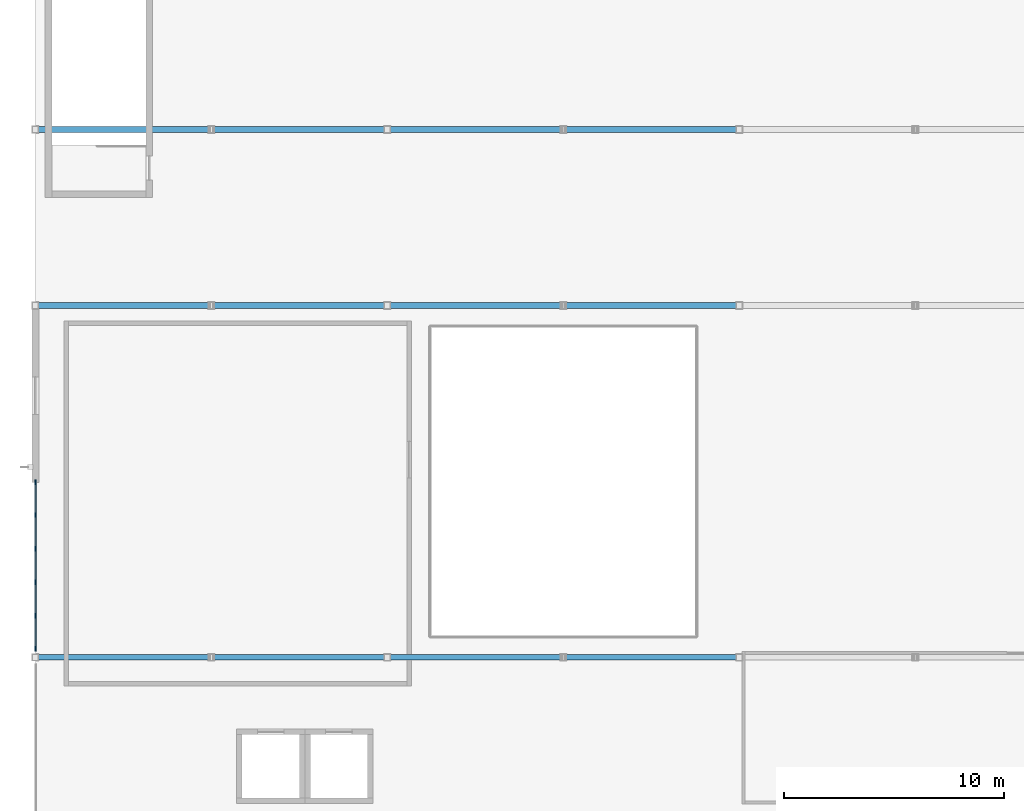
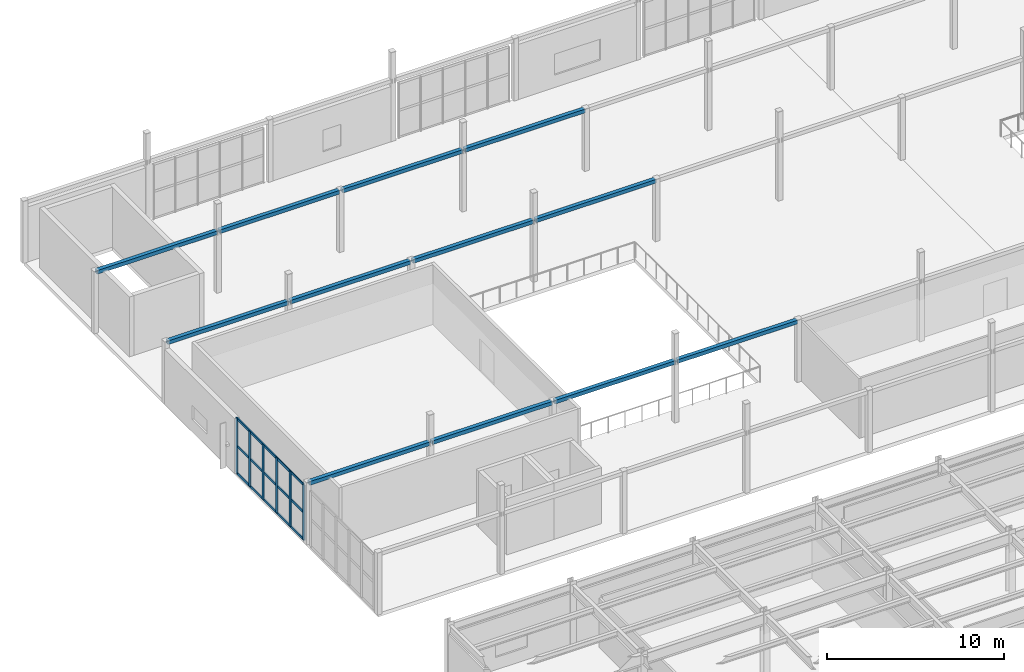
# One storey, part 25 of 83: 21 members, 1 element without a shape of its own.
"""IFC4 building model written with IfcOpenShell, lengths in metres."""

import ifcopenshell
import ifcopenshell.guid

model = None  # the IFC model being written
_history = None  # IfcOwnerHistory: only IFC2X3 demands one
_inside = {}  # id of a spatial element -> (the spatial element, [elements in it])
_under = {}  # id of a project, library or spatial element -> (it, [spatial elements below it])
_declared = {}  # id of a project -> (the project, [libraries it declares])
_typed = {}  # id of a type object -> (the type object, [elements of that type])
_made_of = {}  # id of a material, layer set ... -> (it, [elements and type objects made of it])


def new_model(schema):
    """Start an empty IFC model of exactly this schema.

    Asked for "IFC4X3", IfcOpenShell would pick the latest addendum, in which some entities
    have other attributes; the version numbers below select the first issue.
    IFC2X3 requires an IfcOwnerHistory on every rooted entity: one is made here for all.
    """
    global model, _history
    if schema == "IFC4X3":
        model = ifcopenshell.file(schema_version=(4, 3, 0, 0))
    else:
        model = ifcopenshell.file(schema=schema)
    _inside.clear()
    _under.clear()
    _declared.clear()
    _typed.clear()
    _made_of.clear()
    _history = None
    if model.schema == "IFC2X3":
        org = make("IfcOrganization", Name="unknown")
        user = make(
            "IfcPersonAndOrganization",
            ThePerson=make("IfcPerson", FamilyName="unknown"),
            TheOrganization=org,
        )
        app = make(
            "IfcApplication",
            ApplicationDeveloper=org,
            Version="unknown",
            ApplicationFullName="unknown",
            ApplicationIdentifier="unknown",
        )
        _history = make(
            "IfcOwnerHistory",
            OwningUser=user,
            OwningApplication=app,
            ChangeAction="ADDED",
            CreationDate=0,
        )
    return model


def make(cls, **values):
    """One entity of the class cls with the attributes given. An attribute that is None is left unset."""
    return model.create_entity(
        cls, **{name: value for name, value in values.items() if value is not None}
    )


def rooted(cls, **values):
    """An entity with a GlobalId (a new one), such as an element, a storey or a relation."""
    return make(cls, GlobalId=ifcopenshell.guid.new(), OwnerHistory=_history, **values)


def si_unit(unit_type, name, prefix=None):
    """IfcSIUnit, for example si_unit("LENGTHUNIT", "METRE", prefix="MILLI")."""
    return make("IfcSIUnit", UnitType=unit_type, Prefix=prefix, Name=name)


def assignment(units):
    """IfcUnitAssignment: the units of a project."""
    return None if units is None else make("IfcUnitAssignment", Units=units)


def point(xyz):
    """IfcCartesianPoint."""
    return None if xyz is None else make("IfcCartesianPoint", Coordinates=xyz)


def direction(xyz):
    """IfcDirection."""
    return None if xyz is None else make("IfcDirection", DirectionRatios=xyz)


def frame(location, z_axis=None, x_axis=None):
    """IfcAxis2Placement3D, a coordinate frame: its origin and axes. An axis left out is left unset."""
    return make(
        "IfcAxis2Placement3D",
        Location=point(location),
        Axis=direction(z_axis),
        RefDirection=direction(x_axis),
    )


def frame_2d(location, x_axis=None):
    """IfcAxis2Placement2D, a coordinate frame in the plane: its origin and x axis."""
    return make(
        "IfcAxis2Placement2D", Location=point(location), RefDirection=direction(x_axis)
    )


def origin():
    """The frame at (0, 0, 0) with its axes left unset."""
    return frame((0.0, 0.0, 0.0))


def origin_2d():
    """The frame at (0, 0) in the plane with its x axis left unset."""
    return frame_2d((0.0, 0.0))


def place(relative_to, where):
    """IfcLocalPlacement: puts the frame where relative to a parent placement (None: the world)."""
    return make(
        "IfcLocalPlacement", PlacementRelTo=relative_to, RelativePlacement=where
    )


def context(
    kind, dimensions, precision=None, world=None, true_north=None, identifier=None
):
    """IfcGeometricRepresentationContext, for example the 3D "Model" context."""
    return make(
        "IfcGeometricRepresentationContext",
        ContextIdentifier=identifier,
        ContextType=kind,
        CoordinateSpaceDimension=dimensions,
        Precision=precision,
        WorldCoordinateSystem=world,
        TrueNorth=true_north,
    )


def subcontext(parent, identifier, kind, view, scale=None):
    """IfcGeometricRepresentationSubContext, for example "Body" below "Model"."""
    return make(
        "IfcGeometricRepresentationSubContext",
        ContextIdentifier=identifier,
        ContextType=kind,
        ParentContext=parent,
        TargetScale=scale,
        TargetView=view,
    )


def project(units=None, contexts=None):
    """IfcProject with its units and contexts."""
    return rooted(
        "IfcProject",
        Name="project",
        RepresentationContexts=contexts,
        UnitsInContext=assignment(units),
    )


def spatial(cls, under=None, at=None, **own):
    """A site, building, storey or space (cls), placed at a placement, below another one or the project."""
    s = rooted(cls, ObjectPlacement=at, **own)
    if under is not None:
        _under.setdefault(under.id(), (under, []))[1].append(s)
    return s


def profile(cls, at=None, kind="AREA", **sizes):
    """A parametric profile (cls). Its sizes go by their IFC names, for example OverallWidth=200.0."""
    return make(cls, ProfileType=kind, Position=at, **sizes)


def rectangle(**sizes):
    """IfcRectangleProfileDef."""
    return profile("IfcRectangleProfileDef", **sizes)


def hollow_rectangle(**sizes):
    """IfcRectangleHollowProfileDef."""
    return profile("IfcRectangleHollowProfileDef", **sizes)


def extrude(swept, where, along, depth):
    """IfcExtrudedAreaSolid: the profile swept, set in the frame where, extruded along a direction by depth."""
    return make(
        "IfcExtrudedAreaSolid",
        SweptArea=swept,
        Position=where,
        ExtrudedDirection=direction(along),
        Depth=depth,
    )


def shape(context_of_items, identifier, shape_type, items):
    """IfcShapeRepresentation: the items that make up one representation, for example the "Body"."""
    return make(
        "IfcShapeRepresentation",
        ContextOfItems=context_of_items,
        RepresentationIdentifier=identifier,
        RepresentationType=shape_type,
        Items=items,
    )


def material(Name=None, Category=None):
    """IfcMaterial."""
    return make("IfcMaterial", Name=Name, Category=Category)


def material_profile(
    of_material, cross_section, Name=None, Category=None, Priority=None
):
    """IfcMaterialProfile: a cross section and its material."""
    return make(
        "IfcMaterialProfile",
        Name=Name,
        Material=of_material,
        Profile=cross_section,
        Priority=Priority,
        Category=Category,
    )


def profile_set(profiles, Name=None, composite=None):
    """IfcMaterialProfileSet."""
    return make(
        "IfcMaterialProfileSet",
        Name=Name,
        MaterialProfiles=profiles,
        CompositeProfile=composite,
    )


def made_of(thing, what):
    """Note that an element or type object is made of a material, layer set ...; save() writes the relation."""
    if what is not None:
        _made_of.setdefault(what.id(), (what, []))[1].append(thing)
    return thing


def type_object(cls, material=None, **own):
    """A type object (cls), such as IfcWallType, which elements share."""
    return made_of(rooted(cls, **own), material)


def element(
    cls,
    number,
    at=None,
    inside=None,
    cuts=None,
    type_object=None,
    material=None,
    context=None,
    identifier="Body",
    shape_type=None,
    held_by="IfcProductDefinitionShape",
    body=None,
    shapes=None,
    **own,
):
    """One element of the class cls, such as IfcWall. Its Tag is "e" and its number.

    at: its placement. inside: the storey or other place that contains it. cuts: it is an
    opening in that element (IfcRelVoidsElement). A single representation is given by context,
    identifier, shape_type and body (its items); several are given by shapes. held_by: the class
    of the entity that holds the representations. save() writes the other relations.
    """
    e = rooted(cls, Tag="e%d" % number, ObjectPlacement=at, **own)
    if body is not None:
        shapes = [shape(context, identifier, shape_type, body)]
    if shapes is not None:
        e.Representation = make(held_by, Representations=shapes)
    if inside is not None:
        _inside.setdefault(inside.id(), (inside, []))[1].append(e)
    if cuts is not None:
        rooted(
            "IfcRelVoidsElement", RelatingBuildingElement=cuts, RelatedOpeningElement=e
        )
    if type_object is not None:
        _typed.setdefault(type_object.id(), (type_object, []))[1].append(e)
    return made_of(e, material)


def aggregate(whole, parts):
    """IfcRelAggregates: a whole, such as a stair, and the parts it consists of."""
    return rooted("IfcRelAggregates", RelatingObject=whole, RelatedObjects=parts)


def save(model, path):
    """Write the relations noted so far, then the file.

    IfcRelAggregates (storeys below a building ...), IfcRelContainedInSpatialStructure (elements
    in a storey), IfcRelDefinesByType, IfcRelAssociatesMaterial and IfcRelDeclares: one each for
    every whole, place, type object, material and project.
    """
    for whole, parts in _under.values():
        aggregate(whole, parts)
    for where, things in _inside.values():
        rooted(
            "IfcRelContainedInSpatialStructure",
            RelatedElements=things,
            RelatingStructure=where,
        )
    for kind, things in _typed.values():
        rooted("IfcRelDefinesByType", RelatedObjects=things, RelatingType=kind)
    for what, things in _made_of.values():
        rooted("IfcRelAssociatesMaterial", RelatedObjects=things, RelatingMaterial=what)
    for by, libraries in _declared.values():
        rooted("IfcRelDeclares", RelatingContext=by, RelatedDefinitions=libraries)
    model.write(path)


model = new_model("IFC4")

# Units and contexts
model_context = context("Model", 3, precision=1e-05, world=origin(), true_north=direction((0.0, 1.0)))
body_context = subcontext(model_context, "Body", "Model", "MODEL_VIEW")
ifc_project = project(units=[si_unit("LENGTHUNIT", "METRE"), si_unit("AREAUNIT", "SQUARE_METRE"), si_unit("VOLUMEUNIT", "CUBIC_METRE"), si_unit("PLANEANGLEUNIT", "RADIAN"), si_unit("MASSUNIT", "GRAM", prefix="KILO")], contexts=[model_context])

# Site, building, storey
site_placement = place(None, origin())
site = spatial("IfcSite", under=ifc_project, at=site_placement, CompositionType="ELEMENT")
building_placement = place(site_placement, origin())
building = spatial("IfcBuilding", under=site, at=building_placement, Name="Drelvath Fold Interchange", CompositionType="ELEMENT")
storey_placement = place(building_placement, frame((0.0, 0.0, 11.199951171875)))
storey = spatial("IfcBuildingStorey", under=building, at=storey_placement, Name="L02", CompositionType="ELEMENT", Elevation=11.199951171875)

# Members
ifc_material_1 = material(Name="Steel ASTM A500 Grade C", Category="steel")
ifc_material_profile_1 = material_profile(ifc_material_1, hollow_rectangle(XDim=0.25390625, YDim=0.25390625, WallThickness=0.01171875, at=origin_2d()), Name="HSS10X10X1/2")
ifc_profile_set_1 = profile_set([ifc_material_profile_1], Name="Steel ASTM A500 Grade C")
member_type_1 = type_object("IfcMemberType", Name="FP-CHD254", PredefinedType="CHORD", material=ifc_profile_set_1)
for number, where, z_axis, x_axis, name in (
    (1, (4.080078125, 67.0, 4.150146484375), (1.0, 0.0, 0.0), (0.0, 1.0, 0.0), "L02 Folded-plate roof truss tie chord FP-CHD254"),
    (2, (4.080078125, 83.0, 4.150146484375), (1.0, 0.0, 0.0), (0.0, 1.0, 0.0), "L02 Folded-plate roof truss tie chord FP-CHD254"),
    (3, (4.080078125, 91.0, 4.150146484375), (1.0, 0.0, 0.0), (0.0, 1.0, 0.0), "L02 Folded-plate roof truss tie chord FP-CHD254"),
    (4, (12.080078125, 67.0, 4.150146484375), (1.0, 0.0, 0.0), (0.0, 1.0, 0.0), "L02 Folded-plate roof truss tie chord FP-CHD254"),
    (5, (12.080078125, 83.0, 4.150146484375), (1.0, 0.0, 0.0), (0.0, 1.0, 0.0), "L02 Folded-plate roof truss tie chord FP-CHD254"),
    (6, (12.080078125, 91.0, 4.150146484375), (1.0, 0.0, 0.0), (0.0, 1.0, 0.0), "L02 Folded-plate roof truss tie chord FP-CHD254"),
    (7, (20.080078125, 67.0, 4.150146484375), (1.0, 0.0, 0.0), (0.0, 1.0, 0.0), "L02 Folded-plate roof truss tie chord FP-CHD254"),
    (8, (20.080078125, 83.0, 4.150146484375), (1.0, 0.0, 0.0), (0.0, 1.0, 0.0), "L02 Folded-plate roof truss tie chord FP-CHD254"),
    (9, (20.080078125, 91.0, 4.150146484375), (1.0, 0.0, 0.0), (0.0, 1.0, 0.0), "L02 Folded-plate roof truss tie chord FP-CHD254"),
    (10, (28.080078125, 67.0, 4.150146484375), (1.0, 0.0, 0.0), (0.0, 1.0, 0.0), "L02 Folded-plate roof truss tie chord FP-CHD254"),
    (11, (28.080078125, 83.0, 4.150146484375), (1.0, 0.0, 0.0), (0.0, 1.0, 0.0), "L02 Folded-plate roof truss tie chord FP-CHD254"),
    (12, (28.080078125, 91.0, 4.150146484375), (1.0, 0.0, 0.0), (0.0, 1.0, 0.0), "L02 Folded-plate roof truss tie chord FP-CHD254"),
):
    element("IfcMember", number, at=place(storey_placement, frame(where, z_axis=z_axis, x_axis=x_axis)), inside=storey, type_object=member_type_1, Name=name, PredefinedType="CHORD", context=body_context, shape_type="SweptSolid", body=[
        extrude(hollow_rectangle(XDim=0.25390625, YDim=0.25390625, WallThickness=0.01171875, at=origin_2d()), origin(), (0.0, 0.0, 1.0), 7.83984375),
    ])

# Curtain wall, members
ifc_material_2 = material(Name="Anodized Aluminium 6063-T6", Category="aluminium")
curtain_wall_type = type_object("IfcCurtainWallType", Name="CW-CON-520", PredefinedType="USERDEFINED", material=ifc_material_2)
curtain_wall_placement = place(storey_placement, origin())
curtain_wall = element("IfcCurtainWall", 13, at=curtain_wall_placement, inside=storey, type_object=curtain_wall_type, Name="Curtain wall CW-V1-L02-W67", ObjectType="UNITISED CURTAIN WALL", PredefinedType="USERDEFINED")
ifc_material_profile_2 = material_profile(ifc_material_2, rectangle(XDim=0.06494140625, YDim=0.219970703125, at=origin_2d()), Name="AL-M 65x220")
ifc_profile_set_2 = profile_set([ifc_material_profile_2], Name="Anodized Aluminium 6063-T6")
member_type_2 = type_object("IfcMemberType", Name="ML-220", PredefinedType="MULLION", material=ifc_profile_set_2)
member_1_placement = place(storey_placement, frame((4.0, 67.39990234375, 0.0), z_axis=(0.0, 0.0, 1.0), x_axis=(1.0, 0.0, 0.0)))
member_1 = element("IfcMember", 14, at=member_1_placement, type_object=member_type_2, Name="CW-V1-L02-W67 mullion 0", PredefinedType="MULLION", context=body_context, shape_type="SweptSolid", body=[
    extrude(rectangle(XDim=0.06494140625, YDim=0.219970703125, at=origin_2d()), origin(), (0.0, 0.0, 1.0), 3.800048828125),
])
member_2_placement = place(storey_placement, frame((4.0, 68.887939453125, 0.0), z_axis=(0.0, 0.0, 1.0), x_axis=(1.0, 0.0, 0.0)))
member_2 = element("IfcMember", 15, at=member_2_placement, type_object=member_type_2, Name="CW-V1-L02-W67 mullion 1", PredefinedType="MULLION", context=body_context, shape_type="SweptSolid", body=[
    extrude(rectangle(XDim=0.06494140625, YDim=0.219970703125, at=origin_2d()), origin(), (0.0, 0.0, 1.0), 3.800048828125),
])
member_3_placement = place(storey_placement, frame((4.0, 70.416015625, 0.0), z_axis=(0.0, 0.0, 1.0), x_axis=(1.0, 0.0, 0.0)))
member_3 = element("IfcMember", 16, at=member_3_placement, type_object=member_type_2, Name="CW-V1-L02-W67 mullion 2", PredefinedType="MULLION", context=body_context, shape_type="SweptSolid", body=[
    extrude(rectangle(XDim=0.06494140625, YDim=0.219970703125, at=origin_2d()), origin(), (0.0, 0.0, 1.0), 3.800048828125),
])
member_4_placement = place(storey_placement, frame((4.0, 71.944091796875, 0.0), z_axis=(0.0, 0.0, 1.0), x_axis=(1.0, 0.0, 0.0)))
member_4 = element("IfcMember", 17, at=member_4_placement, type_object=member_type_2, Name="CW-V1-L02-W67 mullion 3", PredefinedType="MULLION", context=body_context, shape_type="SweptSolid", body=[
    extrude(rectangle(XDim=0.06494140625, YDim=0.219970703125, at=origin_2d()), origin(), (0.0, 0.0, 1.0), 3.800048828125),
])
member_5_placement = place(storey_placement, frame((4.0, 73.471923828125, 0.0), z_axis=(0.0, 0.0, 1.0), x_axis=(1.0, 0.0, 0.0)))
member_5 = element("IfcMember", 18, at=member_5_placement, type_object=member_type_2, Name="CW-V1-L02-W67 mullion 4", PredefinedType="MULLION", context=body_context, shape_type="SweptSolid", body=[
    extrude(rectangle(XDim=0.06494140625, YDim=0.219970703125, at=origin_2d()), origin(), (0.0, 0.0, 1.0), 3.800048828125),
])
member_6_placement = place(storey_placement, frame((4.0, 74.9599609375, 0.0), z_axis=(0.0, 0.0, 1.0), x_axis=(1.0, 0.0, 0.0)))
member_6 = element("IfcMember", 19, at=member_6_placement, type_object=member_type_2, Name="CW-V1-L02-W67 mullion 5", PredefinedType="MULLION", context=body_context, shape_type="SweptSolid", body=[
    extrude(rectangle(XDim=0.06494140625, YDim=0.219970703125, at=origin_2d()), origin(), (0.0, 0.0, 1.0), 3.800048828125),
])
ifc_material_profile_3 = material_profile(ifc_material_2, rectangle(XDim=0.06494140625, YDim=0.179931640625, at=origin_2d()), Name="AL-T 65x180")
ifc_profile_set_3 = profile_set([ifc_material_profile_3], Name="Anodized Aluminium 6063-T6")
member_type_3 = type_object("IfcMemberType", Name="TR-180", PredefinedType="USERDEFINED", material=ifc_profile_set_3)
member_7_placement = place(storey_placement, frame((4.0, 67.39990234375, 0.030029296875), z_axis=(0.0, 1.0, 0.0), x_axis=(-1.0, 0.0, 0.0)))
member_7 = element("IfcMember", 20, at=member_7_placement, type_object=member_type_3, Name="CW-V1-L02-W67 transom 0", ObjectType="TRANSOM", PredefinedType="USERDEFINED", context=body_context, shape_type="SweptSolid", body=[
    extrude(rectangle(XDim=0.06494140625, YDim=0.179931640625, at=origin_2d()), origin(), (0.0, 0.0, 1.0), 7.56005859375),
])
member_8_placement = place(storey_placement, frame((4.0, 67.39990234375, 1.900146484375), z_axis=(0.0, 1.0, 0.0), x_axis=(-1.0, 0.0, 0.0)))
member_8 = element("IfcMember", 21, at=member_8_placement, type_object=member_type_3, Name="CW-V1-L02-W67 transom 1", ObjectType="TRANSOM", PredefinedType="USERDEFINED", context=body_context, shape_type="SweptSolid", body=[
    extrude(rectangle(XDim=0.06494140625, YDim=0.179931640625, at=origin_2d()), origin(), (0.0, 0.0, 1.0), 7.56005859375),
])
member_9_placement = place(storey_placement, frame((4.0, 67.39990234375, 3.77001953125), z_axis=(0.0, 1.0, 0.0), x_axis=(-1.0, 0.0, 0.0)))
member_9 = element("IfcMember", 22, at=member_9_placement, type_object=member_type_3, Name="CW-V1-L02-W67 transom 2", ObjectType="TRANSOM", PredefinedType="USERDEFINED", context=body_context, shape_type="SweptSolid", body=[
    extrude(rectangle(XDim=0.06494140625, YDim=0.179931640625, at=origin_2d()), origin(), (0.0, 0.0, 1.0), 7.56005859375),
])
aggregate(curtain_wall, [member_1, member_2, member_3, member_4, member_5, member_6, member_7, member_8, member_9])

save(model, "model.ifc")
